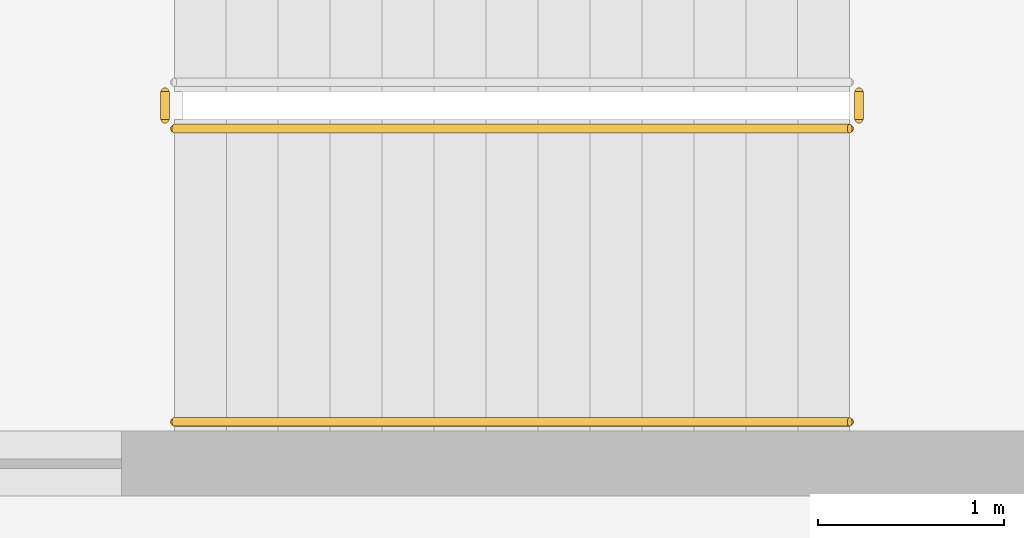
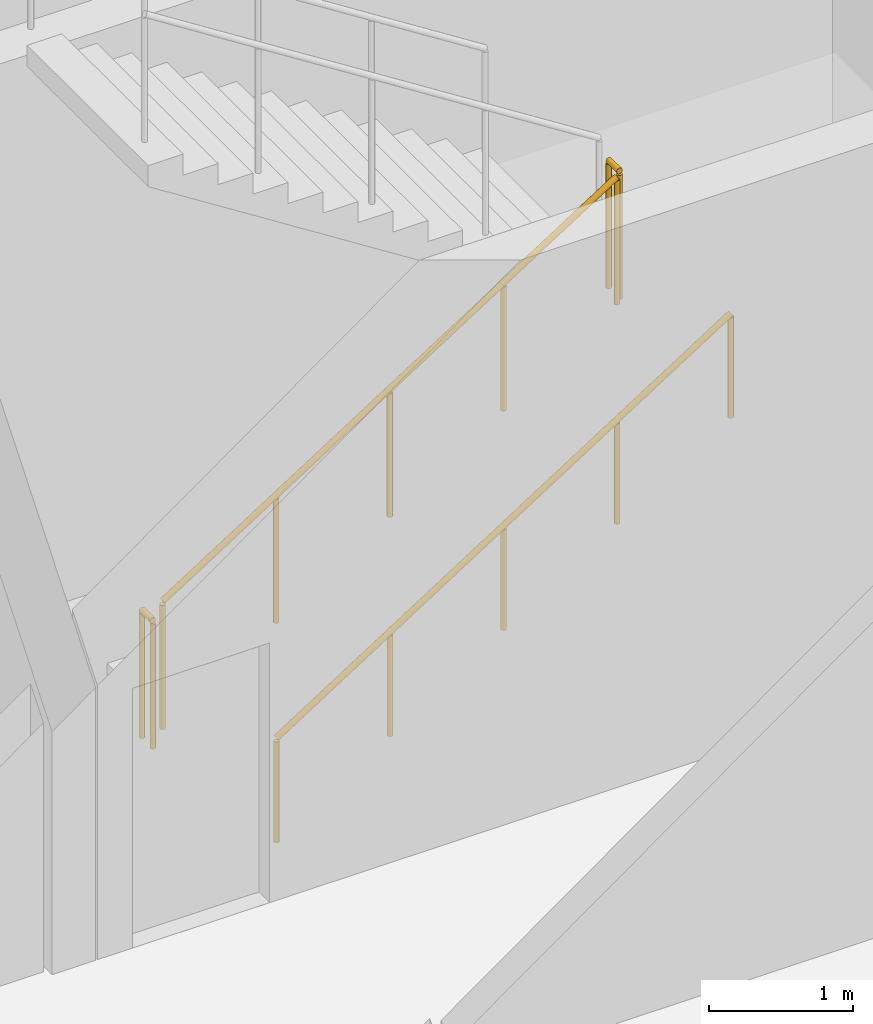
# One storey, part 39 of 46: 4 railings.
"""IFC4 building model written with IfcOpenShell, lengths in metres."""

from ifc_helpers import new_model, si_unit, direction, frame, origin, origin_2d, place, context, subcontext, project, spatial, circle, extrude, material, type_object, element, save


model = new_model("IFC4")

# Units and contexts
model_context = context("Model", 3, precision=1e-05, world=origin(), true_north=direction((0.0, 1.0)))
body_context = subcontext(model_context, "Body", "Model", "MODEL_VIEW")
ifc_project = project(units=[si_unit("LENGTHUNIT", "METRE"), si_unit("AREAUNIT", "SQUARE_METRE"), si_unit("VOLUMEUNIT", "CUBIC_METRE"), si_unit("PLANEANGLEUNIT", "RADIAN"), si_unit("MASSUNIT", "GRAM", prefix="KILO")], contexts=[model_context])

# Site, building, storey
site_placement = place(None, origin())
site = spatial("IfcSite", under=ifc_project, at=site_placement, CompositionType="ELEMENT")
building_placement = place(site_placement, origin())
building = spatial("IfcBuilding", under=site, at=building_placement, Name="Qorvath Tower", CompositionType="ELEMENT")
storey_placement = place(building_placement, frame((0.0, 0.0, 17.0)))
storey = spatial("IfcBuildingStorey", under=building, at=storey_placement, Name="L03", CompositionType="ELEMENT", Elevation=17.0)

# Railings
ifc_material_1 = material(Name="Painted galvanised steel", Category="steel")
railing_type_1 = type_object("IfcRailingType", Name="RL-STR-GRD", PredefinedType="GUARDRAIL", material=ifc_material_1)
railing_1_placement = place(storey_placement, frame((-22.669921875, -6.570068359375, 0.178466796875)))
element("IfcRailing", 1, at=railing_1_placement, inside=storey, type_object=railing_type_1, Name="L03 TS2 stair guard 1", PredefinedType="GUARDRAIL", context=body_context, shape_type="SweptSolid", body=[
    extrude(circle(Radius=0.02392578125, at=origin_2d()), frame((0.0, 0.0, 1.076171875), z_axis=(0.843111507901, 0.0, 0.53773877045), x_axis=(0.0, 1.0, 0.0)), (0.0, 0.0, 1.0), 4.317138671875),
    extrude(circle(Radius=0.02099609375, at=origin_2d()), origin(), (0.0, 0.0, 1.0), 1.052001953125),
    extrude(circle(Radius=0.02099609375, at=origin_2d()), frame((0.909912109375, 0.0, 0.580322265625)), (0.0, 0.0, 1.0), 1.052001953125),
    extrude(circle(Radius=0.02099609375, at=origin_2d()), frame((1.81982421875, 0.0, 1.16064453125)), (0.0, 0.0, 1.0), 1.052001953125),
    extrude(circle(Radius=0.02099609375, at=origin_2d()), frame((2.72998046875, 0.0, 1.7412109375)), (0.0, 0.0, 1.0), 1.052001953125),
    extrude(circle(Radius=0.02099609375, at=origin_2d()), frame((3.639892578125, 0.0, 2.321533203125)), (0.0, 0.0, 1.0), 1.052001953125),
])
for number, where, name in (
    (2, (-18.97998046875, -6.52001953125, 2.5), "L03 TS2 stair guard 2"),
    (3, (-22.719970703125, -6.52001953125, 0.0), "L03 TS2 stair guard 4"),
):
    element("IfcRailing", number, at=place(storey_placement, frame(where)), inside=storey, type_object=railing_type_1, Name=name, PredefinedType="GUARDRAIL", context=body_context, shape_type="SweptSolid", body=[
        extrude(circle(Radius=0.02392578125, at=origin_2d()), frame((0.0, 0.0, 1.076171875), z_axis=(0.0, 1.0, 0.0), x_axis=(-1.0, 0.0, 0.0)), (0.0, 0.0, 1.0), 0.14990234375),
        extrude(circle(Radius=0.02099609375, at=origin_2d()), origin(), (0.0, 0.0, 1.0), 1.052001953125),
        extrude(circle(Radius=0.02099609375, at=origin_2d()), frame((0.0, 0.14990234375, 0.0)), (0.0, 0.0, 1.0), 1.052001953125),
    ])
ifc_material_2 = material(Name="Brushed stainless steel AISI 304", Category="steel")
railing_type_2 = type_object("IfcRailingType", Name="RL-STR-HND", PredefinedType="HANDRAIL", material=ifc_material_2)
railing_2_placement = place(storey_placement, frame((-22.669921875, -8.14990234375, 0.178466796875)))
element("IfcRailing", 4, at=railing_2_placement, inside=storey, type_object=railing_type_2, Name="L03 TS2 stair handrail 1", PredefinedType="HANDRAIL", context=body_context, shape_type="SweptSolid", body=[
    extrude(circle(Radius=0.02392578125, at=origin_2d()), frame((0.0, 0.0, 0.8759765625), z_axis=(0.843111507901, 0.0, 0.53773877045), x_axis=(0.0, 1.0, 0.0)), (0.0, 0.0, 1.0), 4.317138671875),
    extrude(circle(Radius=0.02099609375, at=origin_2d()), origin(), (0.0, 0.0, 1.0), 0.851806640625),
    extrude(circle(Radius=0.02099609375, at=origin_2d()), frame((0.909912109375, 0.0, 0.580322265625)), (0.0, 0.0, 1.0), 0.851806640625),
    extrude(circle(Radius=0.02099609375, at=origin_2d()), frame((1.81982421875, 0.0, 1.16064453125)), (0.0, 0.0, 1.0), 0.851806640625),
    extrude(circle(Radius=0.02099609375, at=origin_2d()), frame((2.72998046875, 0.0, 1.7412109375)), (0.0, 0.0, 1.0), 0.851806640625),
    extrude(circle(Radius=0.02099609375, at=origin_2d()), frame((3.639892578125, 0.0, 2.321533203125)), (0.0, 0.0, 1.0), 0.851806640625),
])

save(model, "model.ifc")
